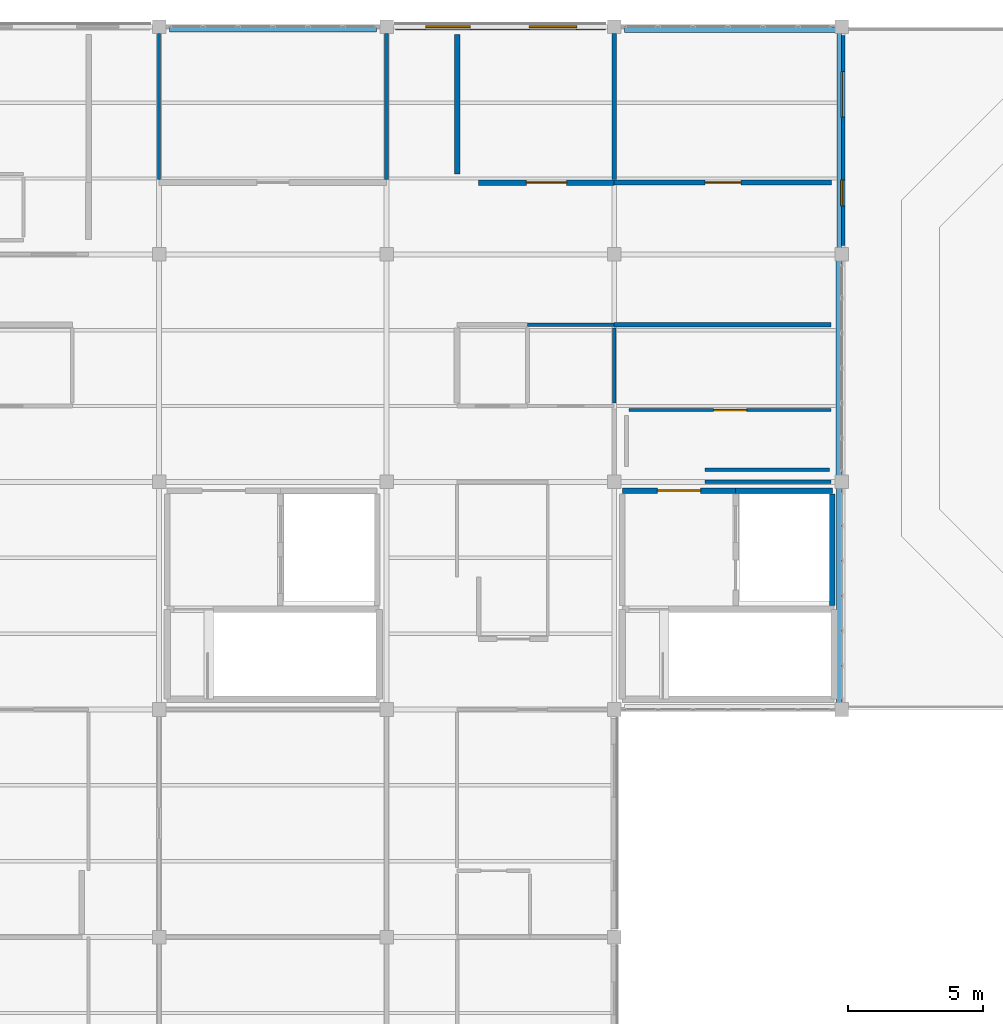
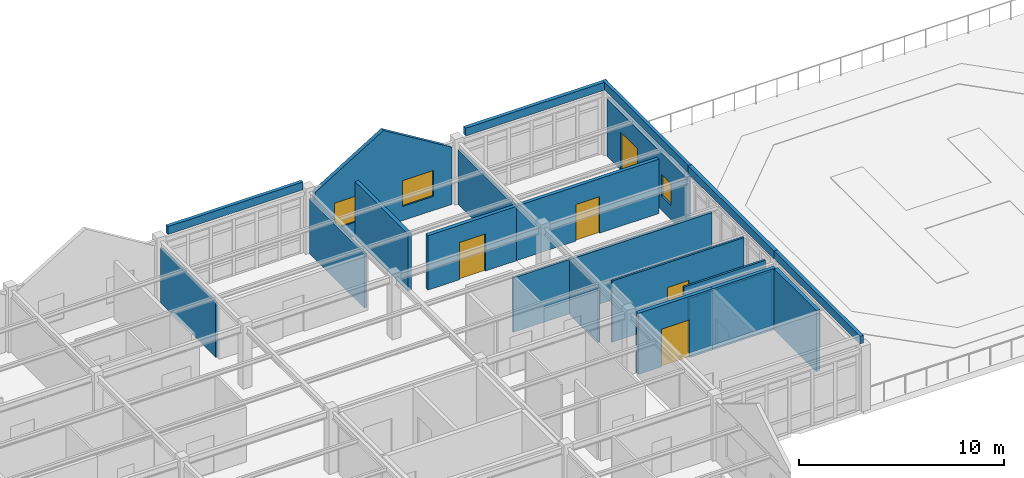
# One storey, part 43 of 45: 22 walls, 5 doors, 3 windows, 8 openings.
"""IFC4 building model written with IfcOpenShell, lengths in metres."""

from ifc_helpers import new_model, si_unit, direction, frame, frame_2d, origin, place, context, subcontext, project, spatial, polyline, rectangle, outline, extrude, material, layer, layer_set, type_object, element, fill, save


model = new_model("IFC4")

# Units and contexts
model_context = context("Model", 3, precision=1e-05, world=origin(), true_north=direction((0.0, 1.0)))
body_context = subcontext(model_context, "Body", "Model", "MODEL_VIEW")
ifc_project = project(units=[si_unit("LENGTHUNIT", "METRE"), si_unit("AREAUNIT", "SQUARE_METRE"), si_unit("VOLUMEUNIT", "CUBIC_METRE"), si_unit("PLANEANGLEUNIT", "RADIAN"), si_unit("MASSUNIT", "GRAM", prefix="KILO")], contexts=[model_context])

# Site, building, storey
site_placement = place(None, origin())
site = spatial("IfcSite", under=ifc_project, at=site_placement, CompositionType="ELEMENT")
building_placement = place(site_placement, origin())
building = spatial("IfcBuilding", under=site, at=building_placement, Name="Bramfleet General Hospital", CompositionType="ELEMENT")
storey_placement = place(building_placement, frame((0.0, 0.0, 30.300048828125)))
storey = spatial("IfcBuildingStorey", under=building, at=storey_placement, Name="L07", CompositionType="ELEMENT", Elevation=30.300048828125)

# Wall, openings, door, window
ifc_material_1 = material(Name="Precast concrete C40/50", Category="concrete")
ifc_layer_1 = layer(ifc_material_1, 0.25, Name="WT-EW-08")
ifc_layer_set_1 = layer_set([ifc_layer_1], Name="Precast concrete C40/50")
wall_type_1 = type_object("IfcWallType", Name="WT-EW-08", PredefinedType="SOLIDWALL", material=ifc_layer_set_1)
wall_1_placement = place(storey_placement, frame((126.0, 117.27490234375, 0.0), z_axis=(0.0, 0.0, 1.0), x_axis=(0.0, -1.0, 0.0)))
wall_1 = element("IfcWall", 1, at=wall_1_placement, inside=storey, type_object=wall_type_1, Name="L07 Exterior Wall 440", PredefinedType="SOLIDWALL", context=body_context, shape_type="SweptSolid", body=[
    extrude(rectangle(XDim=7.75, YDim=0.25, at=frame_2d((3.875, 0.0))), origin(), (0.0, 0.0, 1.0), 3.419921875),
])
opening_1_placement = place(wall_1_placement, frame((1.330078125, 0.0, 0.0)))
opening_1 = element("IfcOpeningElement", 2, at=opening_1_placement, cuts=wall_1, Name="Opening D-L07-TER-026", PredefinedType="OPENING", context=body_context, shape_type="SweptSolid", body=[
    extrude(rectangle(XDim=1.679931640625, YDim=2.239990234375, at=frame_2d((0.83984375, 1.1201171875))), frame((0.0, 0.135009765625, 0.0), z_axis=(0.0, -1.0, 0.0), x_axis=(1.0, 0.0, 0.0)), (0.0, 0.0, 1.0), 0.27001953125),
])
opening_2_placement = place(wall_1_placement, frame((5.33740234375, 0.0, 0.85009765625)))
opening_2 = element("IfcOpeningElement", 3, at=opening_2_placement, cuts=wall_1, Name="Opening W-01", PredefinedType="OPENING", context=body_context, shape_type="SweptSolid", body=[
    extrude(rectangle(XDim=0.949951171875, YDim=1.300048828125, at=frame_2d((0.47509765625, 0.64990234375))), frame((0.0, 0.135009765625, 0.0), z_axis=(0.0, -1.0, 0.0), x_axis=(1.0, 0.0, 0.0)), (0.0, 0.0, 1.0), 0.27001953125),
])
ifc_material_2 = material(Name="Thermally broken steel and laminated safety glass", Category="steel")
door_type_1 = type_object("IfcDoorType", Name="DR-ED-07", OperationType="NOTDEFINED", PredefinedType="DOOR", material=ifc_material_2)
door_1_placement = place(opening_1_placement, origin())
door_1 = element("IfcDoor", 4, at=door_1_placement, inside=storey, type_object=door_type_1, Name="L07 Terrace/Helipad Access Door D-L07-TER-026", OperationType="DOUBLE_SWING_RIGHT", OverallHeight=2.239990234375, OverallWidth=1.679931640625, PredefinedType="DOOR", context=body_context, shape_type="SweptSolid", body=[
    extrude(rectangle(XDim=1.679931640625, YDim=2.239990234375, at=frame_2d((0.83984375, 1.1201171875))), frame((0.0, 0.02490234375, 0.0), z_axis=(0.0, -1.0, 0.0), x_axis=(1.0, 0.0, 0.0)), (0.0, 0.0, 1.0), 0.050048828125),
])
fill(opening_1, door_1)
ifc_material_3 = material(Name="Anodised aluminium and low-E triple glazing", Category="aluminium")
window_type_1 = type_object("IfcWindowType", Name="WIN-W-01", PartitioningType="SINGLE_PANEL", PredefinedType="WINDOW", material=ifc_material_3)
window_1_placement = place(opening_2_placement, origin())
window_1 = element("IfcWindow", 5, at=window_1_placement, inside=storey, type_object=window_type_1, Name="L07 Facade Window WIN-L07-440-TER", OverallHeight=1.300048828125, OverallWidth=0.949951171875, PartitioningType="SINGLE_PANEL", PredefinedType="WINDOW", context=body_context, shape_type="SweptSolid", body=[
    extrude(rectangle(XDim=0.949951171875, YDim=1.300048828125, at=frame_2d((0.47509765625, 0.64990234375))), frame((0.0, 0.030029296875, 0.0), z_axis=(0.0, -1.0, 0.0), x_axis=(1.0, 0.0, 0.0)), (0.0, 0.0, 1.0), 0.06005859375),
])
fill(opening_2, window_1)

# Wall, openings, windows
ifc_material_4 = material(Name="Structural timber GL28h", Category="wood")
ifc_layer_2 = layer(ifc_material_4, 0.219970703125, Name="WT-EW-10")
ifc_layer_set_2 = layer_set([ifc_layer_2], Name="Structural timber GL28h")
wall_type_2 = type_object("IfcWallType", Name="WT-EW-10", PredefinedType="SOLIDWALL", material=ifc_layer_set_2)
wall_2_placement = place(storey_placement, frame((109.52490234375, 117.60009765625, 0.0), z_axis=(0.0, 0.0, 1.0), x_axis=(1.0, 0.0, 0.0)))
wall_2 = element("IfcWall", 6, at=wall_2_placement, inside=storey, type_object=wall_type_2, Name="L07 Exterior Wall 439", PredefinedType="SOLIDWALL", context=body_context, shape_type="SweptSolid", body=[
    extrude(outline(polyline([(0.0, 0.0), (7.75, 0.0), (7.75, 3.39990234375), (3.875, 5.76025390625), (0.0, 3.39990234375), (0.0, 0.0)])), frame((0.0, 0.10986328125, 0.0), z_axis=(0.0, -1.0, 0.0), x_axis=(1.0, 0.0, 0.0)), (0.0, 0.0, 1.0), 0.219970703125),
])
opening_3_placement = place(wall_2_placement, frame((1.112548828125, 0.0, 0.85009765625)))
opening_3 = element("IfcOpeningElement", 7, at=opening_3_placement, cuts=wall_2, Name="Opening W-27", PredefinedType="OPENING", context=body_context, shape_type="SweptSolid", body=[
    extrude(rectangle(XDim=1.64990234375, YDim=1.5400390625, at=frame_2d((0.824951171875, 0.77001953125))), frame((0.0, 0.119873046875, 0.0), z_axis=(0.0, -1.0, 0.0), x_axis=(1.0, 0.0, 0.0)), (0.0, 0.0, 1.0), 0.239990234375),
])
opening_4_placement = place(wall_2_placement, frame((4.9375, 0.0, 0.85009765625)))
opening_4 = element("IfcOpeningElement", 8, at=opening_4_placement, cuts=wall_2, Name="Opening W-28", PredefinedType="OPENING", context=body_context, shape_type="SweptSolid", body=[
    extrude(rectangle(XDim=1.75, YDim=1.5400390625, at=frame_2d((0.875, 0.77001953125))), frame((0.0, 0.119873046875, 0.0), z_axis=(0.0, -1.0, 0.0), x_axis=(1.0, 0.0, 0.0)), (0.0, 0.0, 1.0), 0.239990234375),
])
window_type_2 = type_object("IfcWindowType", Name="WIN-W-27", PartitioningType="SINGLE_PANEL", PredefinedType="WINDOW", material=ifc_material_3)
window_2_placement = place(opening_3_placement, origin())
window_2 = element("IfcWindow", 9, at=window_2_placement, inside=storey, type_object=window_type_2, Name="L07 Facade Window WIN-L07-439-1", OverallHeight=1.5400390625, OverallWidth=1.64990234375, PartitioningType="SINGLE_PANEL", PredefinedType="WINDOW", context=body_context, shape_type="SweptSolid", body=[
    extrude(rectangle(XDim=1.64990234375, YDim=1.5400390625, at=frame_2d((0.824951171875, 0.77001953125))), frame((0.0, 0.030029296875, 0.0), z_axis=(0.0, -1.0, 0.0), x_axis=(1.0, 0.0, 0.0)), (0.0, 0.0, 1.0), 0.06005859375),
])
fill(opening_3, window_2)
window_type_3 = type_object("IfcWindowType", Name="WIN-W-28", PartitioningType="SINGLE_PANEL", PredefinedType="WINDOW", material=ifc_material_3)
window_3_placement = place(opening_4_placement, origin())
window_3 = element("IfcWindow", 10, at=window_3_placement, inside=storey, type_object=window_type_3, Name="L07 Facade Window WIN-L07-439-2", OverallHeight=1.5400390625, OverallWidth=1.75, PartitioningType="SINGLE_PANEL", PredefinedType="WINDOW", context=body_context, shape_type="SweptSolid", body=[
    extrude(rectangle(XDim=1.75, YDim=1.5400390625, at=frame_2d((0.875, 0.77001953125))), frame((0.0, 0.030029296875, 0.0), z_axis=(0.0, -1.0, 0.0), x_axis=(1.0, 0.0, 0.0)), (0.0, 0.0, 1.0), 0.06005859375),
])
fill(opening_4, window_3)

# Walls
ifc_material_5 = material(Name="Concrete C35/45", Category="concrete")
ifc_layer_3 = layer(ifc_material_5, 0.205078125, Name="WT-IW-02")
ifc_layer_set_3 = layer_set([ifc_layer_3], Name="Concrete C35/45")
wall_type_3 = type_object("IfcWallType", Name="WT-IW-02", PredefinedType="PARTITIONING", material=ifc_layer_set_3)
wall_3_placement = place(storey_placement, frame((125.64990234375, 96.239990234375, 0.0), z_axis=(0.0, 0.0, 1.0), x_axis=(0.0, 1.0, 0.0)))
element("IfcWall", 11, at=wall_3_placement, inside=storey, type_object=wall_type_3, Name="L07 C6 Lift Shaft East Wall", PredefinedType="PARTITIONING", context=body_context, shape_type="SweptSolid", body=[
    extrude(rectangle(XDim=4.1201171875, YDim=0.205078125, at=frame_2d((2.06005859375, 0.0))), origin(), (0.0, 0.0, 1.0), 3.64990234375),
])
wall_4_placement = place(storey_placement, frame((122.080078125, 100.47998046875, 0.0), z_axis=(0.0, 0.0, 1.0), x_axis=(1.0, 0.0, 0.0)))
element("IfcWall", 12, at=wall_4_placement, inside=storey, type_object=wall_type_3, Name="L07 C6 Lift Shaft North Wall", PredefinedType="PARTITIONING", context=body_context, shape_type="SweptSolid", body=[
    extrude(rectangle(XDim=3.56982421875, YDim=0.205078125, at=frame_2d((1.784912109375, 0.0))), origin(), (0.0, 0.0, 1.0), 3.64990234375),
])

# Wall, opening, door
wall_5_placement = place(storey_placement, frame((117.89990234375, 100.47998046875, 0.0), z_axis=(0.0, 0.0, 1.0), x_axis=(1.0, 0.0, 0.0)))
wall_5 = element("IfcWall", 13, at=wall_5_placement, inside=storey, type_object=wall_type_3, Name="L07 C6 Lobby North Compartment Wall", PredefinedType="PARTITIONING", context=body_context, shape_type="SweptSolid", body=[
    extrude(rectangle(XDim=4.18017578125, YDim=0.205078125, at=frame_2d((2.090087890625, 0.0))), origin(), (0.0, 0.0, 1.0), 3.64990234375),
])
opening_5_placement = place(wall_5_placement, frame((1.2900390625, 0.0, 0.0)))
opening_5 = element("IfcOpeningElement", 14, at=opening_5_placement, cuts=wall_5, Name="Opening D0090", PredefinedType="OPENING", context=body_context, shape_type="SweptSolid", body=[
    extrude(rectangle(XDim=1.60009765625, YDim=2.25, at=frame_2d((0.800048828125, 1.125))), frame((0.0, 0.112548828125, 0.0), z_axis=(0.0, -1.0, 0.0), x_axis=(1.0, 0.0, 0.0)), (0.0, 0.0, 1.0), 0.22509765625),
])
ifc_material_6 = material(Name="Stainless steel and acoustic timber leaf", Category="steel")
door_type_2 = type_object("IfcDoorType", Name="DR-D-04", OperationType="NOTDEFINED", PredefinedType="DOOR", material=ifc_material_6)
door_2_placement = place(opening_5_placement, origin())
door_2 = element("IfcDoor", 15, at=door_2_placement, inside=storey, type_object=door_type_2, Name="L07 C6 Lobby Fire Door D0090", OperationType="DOUBLE_SWING_LEFT", OverallHeight=2.25, OverallWidth=1.60009765625, PredefinedType="DOOR", context=body_context, shape_type="SweptSolid", body=[
    extrude(rectangle(XDim=1.60009765625, YDim=2.25, at=frame_2d((0.800048828125, 1.125))), frame((0.0, 0.02490234375, 0.0), z_axis=(0.0, -1.0, 0.0), x_axis=(1.0, 0.0, 0.0)), (0.0, 0.0, 1.0), 0.050048828125),
])
fill(opening_5, door_2)

wall_6_placement = place(storey_placement, frame((112.60009765625, 111.85009765625, 0.0), z_axis=(0.0, 0.0, 1.0), x_axis=(1.0, 0.0, 0.0)))
wall_6 = element("IfcWall", 16, at=wall_6_placement, inside=storey, type_object=wall_type_3, Name="L07 Interior Partition IW-L07-4238", PredefinedType="PARTITIONING", context=body_context, shape_type="SweptSolid", body=[
    extrude(rectangle(XDim=5.0, YDim=0.205078125, at=frame_2d((2.5, 0.0))), origin(), (0.0, 0.0, 1.0), 3.25),
])
opening_6_placement = place(wall_6_placement, frame((1.760009765625, 0.0, 0.0)))
opening_6 = element("IfcOpeningElement", 17, at=opening_6_placement, cuts=wall_6, Name="Opening D1584", PredefinedType="OPENING", context=body_context, shape_type="SweptSolid", body=[
    extrude(rectangle(XDim=1.47998046875, YDim=2.219970703125, at=frame_2d((0.739990234375, 1.10986328125))), frame((0.0, 0.112548828125, 0.0), z_axis=(0.0, -1.0, 0.0), x_axis=(1.0, 0.0, 0.0)), (0.0, 0.0, 1.0), 0.22509765625),
])
door_type_3 = type_object("IfcDoorType", Name="DR-D-16", OperationType="NOTDEFINED", PredefinedType="DOOR", material=ifc_material_6)
door_3_placement = place(opening_6_placement, origin())
door_3 = element("IfcDoor", 18, at=door_3_placement, inside=storey, type_object=door_type_3, Name="Gabled Patient House PH-04 Bedroom 1313 Door D1584", OperationType="SINGLE_SWING_LEFT", OverallHeight=2.219970703125, OverallWidth=1.47998046875, PredefinedType="DOOR", context=body_context, shape_type="SweptSolid", body=[
    extrude(rectangle(XDim=1.47998046875, YDim=2.219970703125, at=frame_2d((0.739990234375, 1.10986328125))), frame((0.0, 0.02490234375, 0.0), z_axis=(0.0, -1.0, 0.0), x_axis=(1.0, 0.0, 0.0)), (0.0, 0.0, 1.0), 0.050048828125),
])
fill(opening_6, door_3)

# Wall
wall_7_placement = place(storey_placement, frame((111.800048828125, 112.169921875, 0.0), z_axis=(0.0, 0.0, 1.0), x_axis=(0.0, 1.0, 0.0)))
element("IfcWall", 19, at=wall_7_placement, inside=storey, type_object=wall_type_3, Name="L07 Interior Partition IW-L07-4322", PredefinedType="PARTITIONING", context=body_context, shape_type="SweptSolid", body=[
    extrude(rectangle(XDim=5.150146484375, YDim=0.205078125, at=frame_2d((2.5751953125, 0.0))), origin(), (0.0, 0.0, 1.0), 3.409912109375),
])

# Wall, opening, door
ifc_layer_4 = layer(ifc_material_5, 0.18994140625, Name="WT-IW-03")
ifc_layer_set_4 = layer_set([ifc_layer_4], Name="Concrete C35/45")
wall_type_4 = type_object("IfcWallType", Name="WT-IW-03", PredefinedType="PARTITIONING", material=ifc_layer_set_4)
wall_8_placement = place(storey_placement, frame((117.60009765625, 111.85009765625, 0.0), z_axis=(0.0, 0.0, 1.0), x_axis=(1.0, 0.0, 0.0)))
wall_8 = element("IfcWall", 20, at=wall_8_placement, inside=storey, type_object=wall_type_4, Name="L07 Interior Partition IW-L07-4239", PredefinedType="PARTITIONING", context=body_context, shape_type="SweptSolid", body=[
    extrude(rectangle(XDim=8.02490234375, YDim=0.18994140625, at=frame_2d((4.012451171875, 0.0))), origin(), (0.0, 0.0, 1.0), 3.25),
])
opening_7_placement = place(wall_8_placement, frame((3.3525390625, 0.0, 0.0)))
opening_7 = element("IfcOpeningElement", 21, at=opening_7_placement, cuts=wall_8, Name="Opening D1592", PredefinedType="OPENING", context=body_context, shape_type="SweptSolid", body=[
    extrude(rectangle(XDim=1.320068359375, YDim=2.179931640625, at=frame_2d((0.66015625, 1.08984375))), frame((0.0, 0.10498046875, 0.0), z_axis=(0.0, -1.0, 0.0), x_axis=(1.0, 0.0, 0.0)), (0.0, 0.0, 1.0), 0.2099609375),
])
door_type_4 = type_object("IfcDoorType", Name="DR-D-24", OperationType="NOTDEFINED", PredefinedType="DOOR", material=ifc_material_6)
door_4_placement = place(opening_7_placement, origin())
door_4 = element("IfcDoor", 22, at=door_4_placement, inside=storey, type_object=door_type_4, Name="Helipad Trauma Transfer Lobby 13 Door D1592", OperationType="SINGLE_SWING_LEFT", OverallHeight=2.179931640625, OverallWidth=1.320068359375, PredefinedType="DOOR", context=body_context, shape_type="SweptSolid", body=[
    extrude(rectangle(XDim=1.320068359375, YDim=2.179931640625, at=frame_2d((0.66015625, 1.08984375))), frame((0.0, 0.02490234375, 0.0), z_axis=(0.0, -1.0, 0.0), x_axis=(1.0, 0.0, 0.0)), (0.0, 0.0, 1.0), 0.050048828125),
])
fill(opening_7, door_4)

# Walls
ifc_material_7 = material(Name="Gypsum plasterboard on acoustic steel studs", Category="steel")
ifc_layer_5 = layer(ifc_material_7, 0.159912109375, Name="WT-IW-06")
ifc_layer_set_5 = layer_set([ifc_layer_5], Name="Gypsum plasterboard on acoustic steel studs")
wall_type_5 = type_object("IfcWallType", Name="WT-IW-06", PredefinedType="PARTITIONING", material=ifc_layer_set_5)
wall_9_placement = place(storey_placement, frame((117.60009765625, 106.60009765625, 0.0), z_axis=(0.0, 0.0, 1.0), x_axis=(1.0, 0.0, 0.0)))
element("IfcWall", 23, at=wall_9_placement, inside=storey, type_object=wall_type_5, Name="L07 Interior Partition IW-L07-4230", PredefinedType="PARTITIONING", context=body_context, shape_type="SweptSolid", body=[
    extrude(rectangle(XDim=8.010009765625, YDim=0.159912109375, at=frame_2d((4.0048828125, 0.0))), origin(), (0.0, 0.0, 1.0), 3.25),
])
wall_10_placement = place(storey_placement, frame((117.60009765625, 111.965087890625, 0.0), z_axis=(0.0, 0.0, 1.0), x_axis=(0.0, 1.0, 0.0)))
element("IfcWall", 24, at=wall_10_placement, inside=storey, type_object=wall_type_5, Name="L07 Interior Partition IW-L07-4338", PredefinedType="PARTITIONING", context=body_context, shape_type="SweptSolid", body=[
    extrude(rectangle(XDim=5.389892578125, YDim=0.159912109375, at=frame_2d((2.69482421875, 0.0))), origin(), (0.0, 0.0, 1.0), 3.25),
])
ifc_layer_6 = layer(ifc_material_7, 0.139892578125, Name="WT-IW-08")
ifc_layer_set_6 = layer_set([ifc_layer_6], Name="Gypsum plasterboard on acoustic steel studs")
wall_type_6 = type_object("IfcWallType", Name="WT-IW-08", PredefinedType="PARTITIONING", material=ifc_layer_set_6)
wall_11_placement = place(storey_placement, frame((109.199951171875, 111.965087890625, 0.0), z_axis=(0.0, 0.0, 1.0), x_axis=(0.0, 1.0, 0.0)))
element("IfcWall", 25, at=wall_11_placement, inside=storey, type_object=wall_type_6, Name="L07 Interior Partition IW-L07-4304", PredefinedType="PARTITIONING", context=body_context, shape_type="SweptSolid", body=[
    extrude(rectangle(XDim=5.389892578125, YDim=0.139892578125, at=frame_2d((2.69482421875, 0.0))), origin(), (0.0, 0.0, 1.0), 3.25),
])
ifc_layer_7 = layer(ifc_material_7, 0.1298828125, Name="WT-IW-09")
ifc_layer_set_7 = layer_set([ifc_layer_7], Name="Gypsum plasterboard on acoustic steel studs")
wall_type_7 = type_object("IfcWallType", Name="WT-IW-09", PredefinedType="PARTITIONING", material=ifc_layer_set_7)
wall_12_placement = place(storey_placement, frame((120.949951171875, 100.800048828125, 0.0), z_axis=(0.0, 0.0, 1.0), x_axis=(1.0, 0.0, 0.0)))
element("IfcWall", 26, at=wall_12_placement, inside=storey, type_object=wall_type_7, Name="L07 Interior Partition IW-L07-4209", PredefinedType="PARTITIONING", context=body_context, shape_type="SweptSolid", body=[
    extrude(rectangle(XDim=4.66015625, YDim=0.1298828125, at=frame_2d((2.330078125, 0.0))), origin(), (0.0, 0.0, 1.0), 3.25),
])
ifc_layer_8 = layer(ifc_material_7, 0.1201171875, Name="WT-IW-10")
ifc_layer_set_8 = layer_set([ifc_layer_8], Name="Gypsum plasterboard on acoustic steel studs")
wall_type_8 = type_object("IfcWallType", Name="WT-IW-10", PredefinedType="PARTITIONING", material=ifc_layer_set_8)
wall_13_placement = place(storey_placement, frame((120.949951171875, 101.25, 0.0), z_axis=(0.0, 0.0, 1.0), x_axis=(1.0, 0.0, 0.0)))
element("IfcWall", 27, at=wall_13_placement, inside=storey, type_object=wall_type_8, Name="L07 Interior Partition IW-L07-4210", PredefinedType="PARTITIONING", context=body_context, shape_type="SweptSolid", body=[
    extrude(rectangle(XDim=4.60009765625, YDim=0.1201171875, at=frame_2d((2.300048828125, 0.0))), origin(), (0.0, 0.0, 1.0), 3.64990234375),
])
wall_14_placement = place(storey_placement, frame((114.39990234375, 106.60009765625, 0.0), z_axis=(0.0, 0.0, 1.0), x_axis=(1.0, 0.0, 0.0)))
element("IfcWall", 28, at=wall_14_placement, inside=storey, type_object=wall_type_8, Name="L07 Interior Partition IW-L07-4229", PredefinedType="PARTITIONING", context=body_context, shape_type="SweptSolid", body=[
    extrude(rectangle(XDim=3.2001953125, YDim=0.1201171875, at=frame_2d((1.60009765625, 0.0))), origin(), (0.0, 0.0, 1.0), 3.25),
])
wall_15_placement = place(storey_placement, frame((117.60009765625, 103.715087890625, 0.0), z_axis=(0.0, 0.0, 1.0), x_axis=(0.0, 1.0, 0.0)))
element("IfcWall", 29, at=wall_15_placement, inside=storey, type_object=wall_type_8, Name="L07 Interior Partition IW-L07-4337", PredefinedType="PARTITIONING", context=body_context, shape_type="SweptSolid", body=[
    extrude(rectangle(XDim=2.77001953125, YDim=0.1201171875, at=frame_2d((1.385009765625, 0.0))), origin(), (0.0, 0.0, 1.0), 3.25),
])

# Wall, opening, door
ifc_layer_9 = layer(ifc_material_7, 0.112060546875, Name="WT-IW-11")
ifc_layer_set_9 = layer_set([ifc_layer_9], Name="Gypsum plasterboard on acoustic steel studs")
wall_type_9 = type_object("IfcWallType", Name="WT-IW-11", PredefinedType="PARTITIONING", material=ifc_layer_set_9)
wall_16_placement = place(storey_placement, frame((118.14990234375, 103.449951171875, 0.0), z_axis=(0.0, 0.0, 1.0), x_axis=(1.0, 0.0, 0.0)))
wall_16 = element("IfcWall", 30, at=wall_16_placement, inside=storey, type_object=wall_type_9, Name="L07 Interior Partition IW-L07-4211", PredefinedType="PARTITIONING", context=body_context, shape_type="SweptSolid", body=[
    extrude(rectangle(XDim=7.460205078125, YDim=0.112060546875, at=frame_2d((3.72998046875, 0.0))), origin(), (0.0, 0.0, 1.0), 3.64990234375),
])
opening_8_placement = place(wall_16_placement, frame((3.1201171875, 0.0, 0.0)))
opening_8 = element("IfcOpeningElement", 31, at=opening_8_placement, cuts=wall_16, Name="Opening D1591", PredefinedType="OPENING", context=body_context, shape_type="SweptSolid", body=[
    extrude(rectangle(XDim=1.219970703125, YDim=2.179931640625, at=frame_2d((0.60986328125, 1.08984375))), frame((0.0, 0.06591796875, 0.0), z_axis=(0.0, -1.0, 0.0), x_axis=(1.0, 0.0, 0.0)), (0.0, 0.0, 1.0), 0.132080078125),
])
door_type_5 = type_object("IfcDoorType", Name="DR-D-23", OperationType="NOTDEFINED", PredefinedType="DOOR", material=ifc_material_6)
door_5_placement = place(opening_8_placement, origin())
door_5 = element("IfcDoor", 32, at=door_5_placement, inside=storey, type_object=door_type_5, Name="Helipad Trauma Transfer Lobby 12 Door D1591", OperationType="SINGLE_SWING_RIGHT", OverallHeight=2.179931640625, OverallWidth=1.219970703125, PredefinedType="DOOR", context=body_context, shape_type="SweptSolid", body=[
    extrude(rectangle(XDim=1.219970703125, YDim=2.179931640625, at=frame_2d((0.60986328125, 1.08984375))), frame((0.0, 0.02490234375, 0.0), z_axis=(0.0, -1.0, 0.0), x_axis=(1.0, 0.0, 0.0)), (0.0, 0.0, 1.0), 0.050048828125),
])
fill(opening_8, door_5)

# Walls
wall_17_placement = place(storey_placement, frame((100.800048828125, 111.965087890625, 0.0), z_axis=(0.0, 0.0, 1.0), x_axis=(0.0, 1.0, 0.0)))
element("IfcWall", 33, at=wall_17_placement, inside=storey, type_object=wall_type_9, Name="L07 Interior Partition IW-L07-4295", PredefinedType="PARTITIONING", context=body_context, shape_type="SweptSolid", body=[
    extrude(rectangle(XDim=5.389892578125, YDim=0.112060546875, at=frame_2d((2.69482421875, 0.0))), origin(), (0.0, 0.0, 1.0), 3.25),
])
ifc_layer_10 = layer(ifc_material_1, 0.199951171875, Name="WT-PW-01")
ifc_layer_set_10 = layer_set([ifc_layer_10], Name="Precast concrete C40/50")
wall_type_10 = type_object("IfcWallType", Name="WT-PW-01", PredefinedType="PARAPET", material=ifc_layer_set_10)
wall_18_placement = place(storey_placement, frame((125.889892578125, 109.199951171875, 3.8798828125), z_axis=(0.0, 0.0, 1.0), x_axis=(0.0, -1.0, 0.0)))
element("IfcWall", 34, at=wall_18_placement, inside=storey, type_object=wall_type_10, Name="Roof Parapet Wall 103", PredefinedType="PARAPET", context=body_context, shape_type="SweptSolid", body=[
    extrude(rectangle(XDim=8.39990234375, YDim=0.199951171875, at=frame_2d((4.199951171875, 0.0))), origin(), (0.0, 0.0, 1.0), 0.469970703125),
])
wall_19_placement = place(storey_placement, frame((117.97998046875, 117.489990234375, 3.8798828125), z_axis=(0.0, 0.0, 1.0), x_axis=(1.0, 0.0, 0.0)))
element("IfcWall", 35, at=wall_19_placement, inside=storey, type_object=wall_type_10, Name="Roof Parapet Wall 106", PredefinedType="PARAPET", context=body_context, shape_type="SweptSolid", body=[
    extrude(rectangle(XDim=8.02001953125, YDim=0.199951171875, at=frame_2d((4.010009765625, 0.0))), origin(), (0.0, 0.0, 1.0), 0.469970703125),
])
ifc_layer_11 = layer(ifc_material_1, 0.18505859375, Name="WT-PW-02")
ifc_layer_set_11 = layer_set([ifc_layer_11], Name="Precast concrete C40/50")
wall_type_11 = type_object("IfcWallType", Name="WT-PW-02", PredefinedType="PARAPET", material=ifc_layer_set_11)
wall_20_placement = place(storey_placement, frame((125.8974609375, 100.800048828125, 3.8798828125), z_axis=(0.0, 0.0, 1.0), x_axis=(0.0, -1.0, 0.0)))
element("IfcWall", 36, at=wall_20_placement, inside=storey, type_object=wall_type_11, Name="Roof Parapet Wall 104", PredefinedType="PARAPET", context=body_context, shape_type="SweptSolid", body=[
    extrude(rectangle(XDim=8.400146484375, YDim=0.18505859375, at=frame_2d((4.2001953125, 0.0))), origin(), (0.0, 0.0, 1.0), 0.469970703125),
])
wall_21_placement = place(storey_placement, frame((101.179931640625, 117.49755859375, 3.8798828125), z_axis=(0.0, 0.0, 1.0), x_axis=(1.0, 0.0, 0.0)))
element("IfcWall", 37, at=wall_21_placement, inside=storey, type_object=wall_type_11, Name="Roof Parapet Wall 107", PredefinedType="PARAPET", context=body_context, shape_type="SweptSolid", body=[
    extrude(rectangle(XDim=7.64013671875, YDim=0.18505859375, at=frame_2d((3.820068359375, 0.0))), origin(), (0.0, 0.0, 1.0), 0.469970703125),
])
ifc_layer_12 = layer(ifc_material_1, 0.169921875, Name="WT-PW-03")
ifc_layer_set_12 = layer_set([ifc_layer_12], Name="Precast concrete C40/50")
wall_type_12 = type_object("IfcWallType", Name="WT-PW-03", PredefinedType="PARAPET", material=ifc_layer_set_12)
wall_22_placement = place(storey_placement, frame((125.905029296875, 117.60009765625, 3.8798828125), z_axis=(0.0, 0.0, 1.0), x_axis=(0.0, -1.0, 0.0)))
element("IfcWall", 38, at=wall_22_placement, inside=storey, type_object=wall_type_12, Name="Roof Parapet Wall 102", PredefinedType="PARAPET", context=body_context, shape_type="SweptSolid", body=[
    extrude(rectangle(XDim=8.400146484375, YDim=0.169921875, at=frame_2d((4.2001953125, 0.0))), origin(), (0.0, 0.0, 1.0), 0.469970703125),
])

save(model, "model.ifc")
